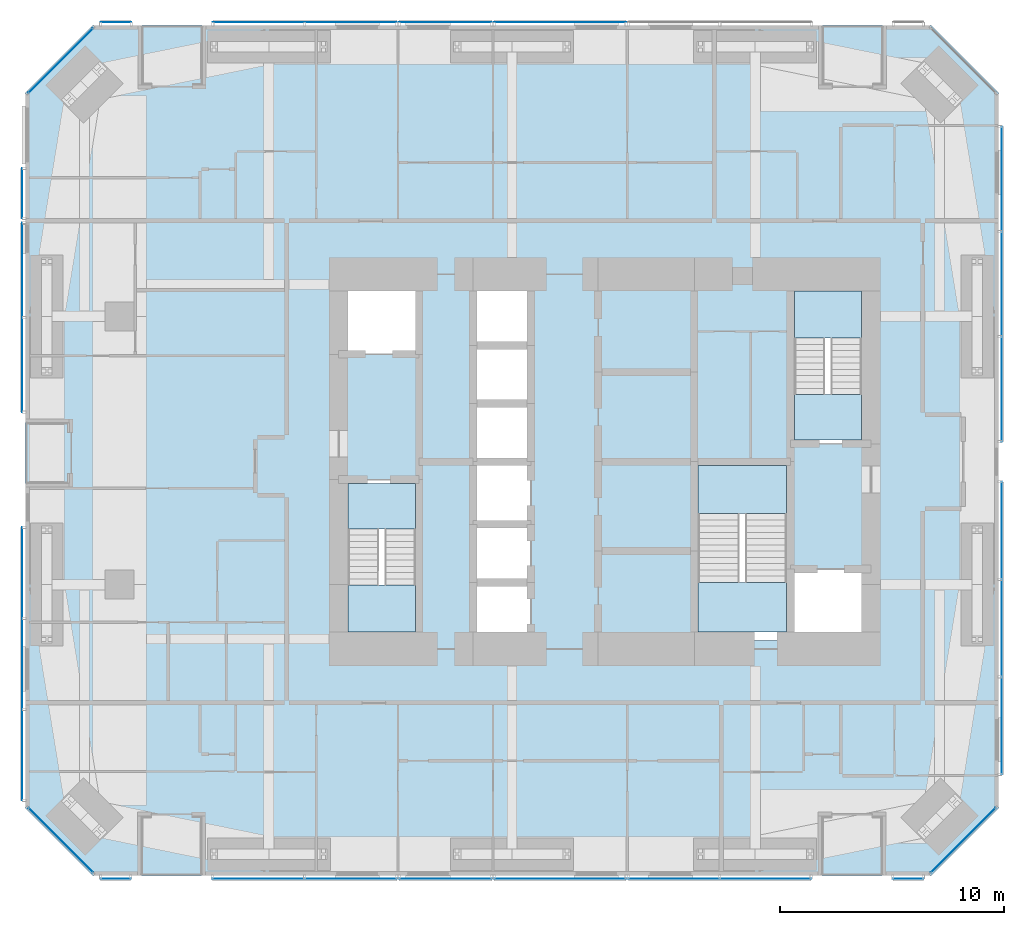
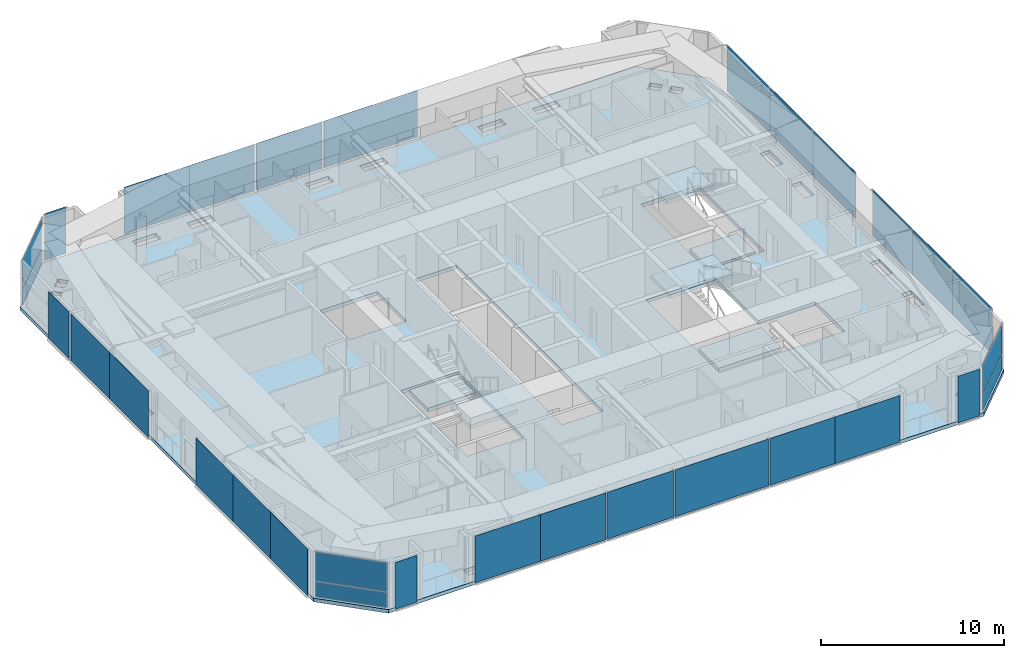
# One storey, part 15 of 23: 31 plates, 7 slabs, 21 elements without a shape of their own.
"""IFC4 building model written with IfcOpenShell, lengths in metres."""

from ifc_helpers import new_model, si_unit, direction, frame, origin, origin_2d, place, context, subcontext, project, spatial, polyline, rectangle, outline, extrude, material, layer, layer_set, type_object, element, aggregate, save


model = new_model("IFC4")

# Units and contexts
model_context = context("Model", 3, precision=1e-05, world=origin(), true_north=direction((0.0, 1.0)))
body_context = subcontext(model_context, "Body", "Model", "MODEL_VIEW")
ifc_project = project(units=[si_unit("LENGTHUNIT", "METRE"), si_unit("AREAUNIT", "SQUARE_METRE"), si_unit("VOLUMEUNIT", "CUBIC_METRE"), si_unit("PLANEANGLEUNIT", "RADIAN"), si_unit("MASSUNIT", "GRAM", prefix="KILO")], contexts=[model_context])

# Site, building, storey
site_placement = place(None, origin())
site = spatial("IfcSite", under=ifc_project, at=site_placement, CompositionType="ELEMENT")
building_placement = place(site_placement, origin())
building = spatial("IfcBuilding", under=site, at=building_placement, Name="Jalousie Tower", CompositionType="ELEMENT")
storey_placement = place(building_placement, frame((0.0, 0.0, 121.60009765625)))
storey = spatial("IfcBuildingStorey", under=building, at=storey_placement, Name="L33", CompositionType="ELEMENT", Elevation=121.60009765625)

# Curtain wall, plates
ifc_material_1 = material(Name="Aluminium curtain wall", Category="aluminium")
curtain_wall_type_1 = type_object("IfcCurtainWallType", Name="CORNER WINDOW WALL", PredefinedType="USERDEFINED", material=ifc_material_1)
curtain_wall_1_placement = place(storey_placement, origin())
curtain_wall_1 = element("IfcCurtainWall", 1, at=curtain_wall_1_placement, inside=storey, type_object=curtain_wall_type_1, Name="Corner Window Wall L33 2", ObjectType="CORNER WINDOW WALL", PredefinedType="USERDEFINED")
ifc_material_2 = material(Name="Laminated impact-rated spandrel glass", Category="glass")
ifc_layer_1 = layer(ifc_material_2, 0.028076171875)
ifc_layer_set_1 = layer_set([ifc_layer_1], Name="Laminated impact-rated spandrel glass")
plate_type_1 = type_object("IfcPlateType", Name="CORNER WINDOW WALL PANEL", PredefinedType="CURTAIN_PANEL", material=ifc_layer_set_1)
plate_1_placement = place(storey_placement, frame((47.9306640625, 1.5693359375, 0.06005859375), z_axis=(0.0, 0.0, 1.0), x_axis=(0.707106781187, 0.707106781187, 0.0)))
plate_1 = element("IfcPlate", 2, at=plate_1_placement, type_object=plate_type_1, Name="CW-C panel 1.1", PredefinedType="CURTAIN_PANEL", context=body_context, shape_type="SweptSolid", body=[
    extrude(rectangle(XDim=4.071533203125, YDim=0.028076171875, at=origin_2d()), origin(), (0.0, 0.0, 1.0), 1.010009765625),
])
plate_2_placement = place(storey_placement, frame((47.9306640625, 1.5693359375, 1.1298828125), z_axis=(0.0, 0.0, 1.0), x_axis=(0.707106781187, 0.707106781187, 0.0)))
plate_2 = element("IfcPlate", 3, at=plate_2_placement, type_object=plate_type_1, Name="CW-C panel 1.2", PredefinedType="CURTAIN_PANEL", context=body_context, shape_type="SweptSolid", body=[
    extrude(rectangle(XDim=4.071533203125, YDim=0.028076171875, at=origin_2d()), origin(), (0.0, 0.0, 1.0), 1.919921875),
])
aggregate(curtain_wall_1, [plate_1, plate_2])

curtain_wall_2_placement = place(storey_placement, origin())
curtain_wall_2 = element("IfcCurtainWall", 4, at=curtain_wall_2_placement, inside=storey, type_object=curtain_wall_type_1, Name="Corner Window Wall L33 6", ObjectType="CORNER WINDOW WALL", PredefinedType="USERDEFINED")
plate_3_placement = place(storey_placement, frame((7.5693359375, 36.4306640625, 0.06005859375), z_axis=(0.0, 0.0, 1.0), x_axis=(-0.707106781187, -0.707106781187, 0.0)))
plate_3 = element("IfcPlate", 5, at=plate_3_placement, type_object=plate_type_1, Name="CW-C panel 1.1", PredefinedType="CURTAIN_PANEL", context=body_context, shape_type="SweptSolid", body=[
    extrude(rectangle(XDim=4.071533203125, YDim=0.028076171875, at=origin_2d()), origin(), (0.0, 0.0, 1.0), 1.010009765625),
])
plate_4_placement = place(storey_placement, frame((7.5693359375, 36.4306640625, 1.1298828125), z_axis=(0.0, 0.0, 1.0), x_axis=(-0.707106781187, -0.707106781187, 0.0)))
plate_4 = element("IfcPlate", 6, at=plate_4_placement, type_object=plate_type_1, Name="CW-C panel 1.2", PredefinedType="CURTAIN_PANEL", context=body_context, shape_type="SweptSolid", body=[
    extrude(rectangle(XDim=4.071533203125, YDim=0.028076171875, at=origin_2d()), origin(), (0.0, 0.0, 1.0), 1.919921875),
])
aggregate(curtain_wall_2, [plate_3, plate_4])

curtain_wall_3_placement = place(storey_placement, origin())
curtain_wall_3 = element("IfcCurtainWall", 7, at=curtain_wall_3_placement, inside=storey, type_object=curtain_wall_type_1, Name="Corner Window Wall L33 8", ObjectType="CORNER WINDOW WALL", PredefinedType="USERDEFINED")
plate_5_placement = place(storey_placement, frame((7.5693359375, 1.5693359375, 0.06005859375), z_axis=(0.0, 0.0, 1.0), x_axis=(0.707106781187, -0.707106781187, 0.0)))
plate_5 = element("IfcPlate", 8, at=plate_5_placement, type_object=plate_type_1, Name="CW-C panel 1.1", PredefinedType="CURTAIN_PANEL", context=body_context, shape_type="SweptSolid", body=[
    extrude(rectangle(XDim=4.071533203125, YDim=0.028076171875, at=origin_2d()), origin(), (0.0, 0.0, 1.0), 1.010009765625),
])
plate_6_placement = place(storey_placement, frame((7.5693359375, 1.5693359375, 1.1298828125), z_axis=(0.0, 0.0, 1.0), x_axis=(0.707106781187, -0.707106781187, 0.0)))
plate_6 = element("IfcPlate", 9, at=plate_6_placement, type_object=plate_type_1, Name="CW-C panel 1.2", PredefinedType="CURTAIN_PANEL", context=body_context, shape_type="SweptSolid", body=[
    extrude(rectangle(XDim=4.071533203125, YDim=0.028076171875, at=origin_2d()), origin(), (0.0, 0.0, 1.0), 1.919921875),
])
aggregate(curtain_wall_3, [plate_5, plate_6])

# Slab
ifc_material_3 = material(Name="Concrete f'c 40 MPa", Category="concrete")
ifc_layer_2 = layer(ifc_material_3, 0.239990234375)
ifc_layer_set_2 = layer_set([ifc_layer_2], Name="Concrete f'c 40 MPa")
slab_type_1 = type_object("IfcSlabType", Name="FLOOR SLAB 240", PredefinedType="FLOOR", material=ifc_layer_set_2)
slab_1_placement = place(storey_placement, frame((0.0, 0.0, -0.239990234375)))
element("IfcSlab", 10, at=slab_1_placement, inside=storey, type_object=slab_type_1, Name="L33 floor slab", PredefinedType="FLOOR", context=body_context, shape_type="SweptSolid", body=[
    extrude(outline(polyline([(9.0, 0.0), (46.5, 0.0), (49.5, 3.0), (49.5, 35.0), (46.5, 38.0), (9.0, 38.0), (6.0, 35.0), (6.0, 3.0), (9.0, 0.0)]), holes=[polyline([(14.425048828125, 1.236083984375), (14.484619140625, 1.236083984375), (15.888916015625, 1.236083984375), (15.888916015625, 0.663818359375), (14.484619140625, 0.663818359375), (14.425048828125, 0.663818359375), (14.425048828125, 1.236083984375)]), polyline([(26.763916015625, 1.236083984375), (26.763916015625, 0.663818359375), (25.359619140625, 0.663818359375), (25.300048828125, 0.663818359375), (25.300048828125, 1.236083984375), (25.359619140625, 1.236083984375), (26.763916015625, 1.236083984375)]), polyline([(17.861083984375, 1.236083984375), (19.265380859375, 1.236083984375), (19.324951171875, 1.236083984375), (19.324951171875, 0.663818359375), (19.265380859375, 0.663818359375), (17.861083984375, 0.663818359375), (17.861083984375, 1.236083984375)]), polyline([(9.3955078125, 2.27197265625), (9.505615234375, 2.162109375), (9.505615234375, 2.162109375), (9.302978515625, 1.959716796875), (9.1005859375, 1.75732421875), (8.604736328125, 2.25341796875), (9.009521484375, 2.658203125), (9.39453125, 2.27294921875), (9.3955078125, 2.27197265625)]), polyline([(8.162109375, 3.505615234375), (8.162109375, 3.505615234375), (8.162109375, 3.505615234375), (8.2119140625, 3.455810546875), (8.27294921875, 3.39453125), (8.27294921875, 3.39453125), (8.658203125, 3.009521484375), (8.25341796875, 2.604736328125), (7.75732421875, 3.1005859375), (7.75732421875, 3.1005859375), (7.75732421875, 3.1005859375), (7.919189453125, 3.2626953125), (8.162109375, 3.505615234375)]), polyline([(7.236083984375, 10.550048828125), (6.663818359375, 10.550048828125), (6.663818359375, 10.609619140625), (6.663818359375, 12.013916015625), (7.236083984375, 12.013916015625), (7.236083984375, 10.609619140625), (7.236083984375, 10.550048828125)]), polyline([(26.0, 10.5), (26.0, 26.5), (28.60009765625, 26.5), (28.60009765625, 10.5), (26.0, 10.5)]), polyline([(20.0, 10.5), (23.60009765625, 10.5), (23.60009765625, 17.699951171875), (20.0, 17.699951171875), (20.0, 10.5)]), polyline([(7.236083984375, 15.390380859375), (7.236083984375, 13.986083984375), (6.663818359375, 13.986083984375), (6.663818359375, 15.390380859375), (6.663818359375, 15.449951171875), (7.236083984375, 15.449951171875), (7.236083984375, 15.390380859375)]), polyline([(6.663818359375, 24.013916015625), (7.236083984375, 24.013916015625), (7.236083984375, 22.609619140625), (7.236083984375, 22.550048828125), (6.663818359375, 22.550048828125), (6.663818359375, 22.609619140625), (6.663818359375, 24.013916015625)]), polyline([(20.0, 23.300048828125), (23.60009765625, 23.300048828125), (23.60009765625, 26.5), (20.0, 26.5), (20.0, 23.300048828125)]), polyline([(7.236083984375, 25.986083984375), (6.663818359375, 25.986083984375), (6.663818359375, 27.390380859375), (6.663818359375, 27.449951171875), (7.236083984375, 27.449951171875), (7.236083984375, 27.390380859375), (7.236083984375, 25.986083984375)]), polyline([(7.75732421875, 34.8994140625), (7.75732421875, 34.8994140625), (7.75732421875, 34.8994140625), (7.868408203125, 35.01025390625), (7.868408203125, 35.01025390625), (8.25341796875, 35.395263671875), (8.658203125, 34.990478515625), (8.27294921875, 34.60546875), (8.27294921875, 34.60546875), (8.162109375, 34.494384765625), (7.948974609375, 34.70751953125), (7.75732421875, 34.8994140625)]), polyline([(8.604736328125, 35.74658203125), (9.1005859375, 36.24267578125), (9.505615234375, 35.837890625), (9.39453125, 35.72705078125), (9.009521484375, 35.341796875), (8.604736328125, 35.74658203125)]), polyline([(26.763916015625, 36.763916015625), (25.359619140625, 36.763916015625), (25.300048828125, 36.763916015625), (25.300048828125, 37.336181640625), (25.359619140625, 37.336181640625), (26.763916015625, 37.336181640625), (26.763916015625, 36.763916015625)]), polyline([(19.324951171875, 37.336181640625), (19.324951171875, 36.763916015625), (19.265380859375, 36.763916015625), (17.861083984375, 36.763916015625), (17.861083984375, 37.336181640625), (19.265380859375, 37.336181640625), (19.324951171875, 37.336181640625)]), polyline([(14.425048828125, 36.763916015625), (14.425048828125, 37.336181640625), (14.484619140625, 37.336181640625), (15.888916015625, 37.336181640625), (15.888916015625, 36.763916015625), (14.484619140625, 36.763916015625), (14.425048828125, 36.763916015625)]), polyline([(28.736083984375, 0.663818359375), (28.736083984375, 1.236083984375), (30.140380859375, 1.236083984375), (30.199951171875, 1.236083984375), (30.199951171875, 0.663818359375), (30.140380859375, 0.663818359375), (28.736083984375, 0.663818359375)]), polyline([(36.234619140625, 0.663818359375), (36.175048828125, 0.663818359375), (36.175048828125, 1.236083984375), (36.234619140625, 1.236083984375), (37.638916015625, 1.236083984375), (37.638916015625, 0.663818359375), (36.234619140625, 0.663818359375)]), polyline([(41.015380859375, 1.236083984375), (41.074951171875, 1.236083984375), (41.074951171875, 0.663818359375), (41.015380859375, 0.663818359375), (39.611083984375, 0.663818359375), (39.611083984375, 1.236083984375), (41.015380859375, 1.236083984375)]), polyline([(46.51025390625, 1.868408203125), (46.51025390625, 1.868408203125), (46.3994140625, 1.75732421875), (46.3994140625, 1.75732421875), (46.3994140625, 1.75732421875), (46.199951171875, 1.95654296875), (45.994384765625, 2.162109375), (46.10546875, 2.27294921875), (46.10546875, 2.27294921875), (46.490478515625, 2.658203125), (46.895263671875, 2.25341796875), (46.51025390625, 1.868408203125)]), polyline([(47.22705078125, 3.39453125), (47.22705078125, 3.39453125), (47.337890625, 3.505615234375), (47.337890625, 3.505615234375), (47.337890625, 3.505615234375), (47.540283203125, 3.302978515625), (47.74267578125, 3.1005859375), (47.631591796875, 2.98974609375), (47.631591796875, 2.98974609375), (47.24658203125, 2.604736328125), (46.841796875, 3.009521484375), (47.22705078125, 3.39453125)]), polyline([(48.836181640625, 10.550048828125), (48.263916015625, 10.550048828125), (48.263916015625, 10.609619140625), (48.263916015625, 12.013916015625), (48.836181640625, 12.013916015625), (48.836181640625, 10.609619140625), (48.836181640625, 10.550048828125)]), polyline([(35.89990234375, 18.5), (40.199951171875, 18.5), (40.199951171875, 13.699951171875), (43.800048828125, 13.699951171875), (43.800048828125, 10.5), (35.89990234375, 10.5), (35.89990234375, 18.5)]), polyline([(48.836181640625, 13.986083984375), (48.263916015625, 13.986083984375), (48.263916015625, 15.390380859375), (48.263916015625, 15.449951171875), (48.836181640625, 15.449951171875), (48.836181640625, 15.390380859375), (48.836181640625, 13.986083984375)]), polyline([(40.199951171875, 19.300048828125), (43.800048828125, 19.300048828125), (43.800048828125, 26.5), (40.199951171875, 26.5), (40.199951171875, 19.300048828125)]), polyline([(48.836181640625, 22.550048828125), (48.263916015625, 22.550048828125), (48.263916015625, 22.609619140625), (48.263916015625, 24.013916015625), (48.836181640625, 24.013916015625), (48.836181640625, 22.609619140625), (48.836181640625, 22.550048828125)]), polyline([(48.836181640625, 27.390380859375), (48.836181640625, 25.986083984375), (48.263916015625, 25.986083984375), (48.263916015625, 27.390380859375), (48.263916015625, 27.449951171875), (48.836181640625, 27.449951171875), (48.836181640625, 27.390380859375)]), polyline([(47.631591796875, 35.01025390625), (47.74267578125, 34.8994140625), (47.74267578125, 34.8994140625), (47.540283203125, 34.697021484375), (47.337890625, 34.494384765625), (47.22705078125, 34.60546875), (47.22705078125, 34.60546875), (46.841796875, 34.990478515625), (47.24658203125, 35.395263671875), (47.631591796875, 35.01025390625)]), polyline([(46.3994140625, 36.24267578125), (46.3994140625, 36.24267578125), (46.51025390625, 36.131591796875), (46.895263671875, 35.74658203125), (46.490478515625, 35.341796875), (46.10546875, 35.72705078125), (46.10546875, 35.72705078125), (45.994384765625, 35.837890625), (46.197021484375, 36.040283203125), (46.3994140625, 36.24267578125)]), polyline([(41.015380859375, 37.336181640625), (41.074951171875, 37.336181640625), (41.074951171875, 36.763916015625), (41.015380859375, 36.763916015625), (39.611083984375, 36.763916015625), (39.611083984375, 37.336181640625), (41.015380859375, 37.336181640625)]), polyline([(37.638916015625, 37.336181640625), (37.638916015625, 36.763916015625), (36.234619140625, 36.763916015625), (36.175048828125, 36.763916015625), (36.175048828125, 37.336181640625), (36.234619140625, 37.336181640625), (37.638916015625, 37.336181640625)]), polyline([(28.736083984375, 37.336181640625), (30.140380859375, 37.336181640625), (30.199951171875, 37.336181640625), (30.199951171875, 36.763916015625), (30.140380859375, 36.763916015625), (28.736083984375, 36.763916015625), (28.736083984375, 37.336181640625)])]), origin(), (0.0, 0.0, 1.0), 0.239990234375),
])

# Curtain wall, plate
ifc_material_4 = material(Name="Perforated aluminium sheet", Category="aluminium")
curtain_wall_type_2 = type_object("IfcCurtainWallType", Name="SOLAR SCREEN SS-1", PredefinedType="USERDEFINED", material=ifc_material_4)
curtain_wall_4_placement = place(storey_placement, origin())
curtain_wall_4 = element("IfcCurtainWall", 11, at=curtain_wall_4_placement, inside=storey, type_object=curtain_wall_type_2, Name="Solar screen L33", ObjectType="SOLAR SCREEN SS-1", PredefinedType="USERDEFINED")
ifc_material_5 = material(Name="Perforated aluminium sheet", Category="aluminium")
ifc_layer_3 = layer(ifc_material_5, 0.006103515625)
ifc_layer_set_3 = layer_set([ifc_layer_3], Name="Perforated aluminium sheet")
plate_type_2 = type_object("IfcPlateType", Name="SOLAR SCREEN SS-1 PANEL", PredefinedType="CURTAIN_PANEL", material=ifc_layer_set_3)
plate_7_placement = place(storey_placement, frame((10.0263671875, -0.150390625, 0.0), z_axis=(0.0, 0.0, 1.0), x_axis=(1.0, 0.0, 0.0)))
plate_7 = element("IfcPlate", 12, at=plate_7_placement, type_object=plate_type_2, Name="SS1 perforated panel 1", PredefinedType="CURTAIN_PANEL", context=body_context, shape_type="SweptSolid", body=[
    extrude(rectangle(XDim=1.35009765625, YDim=0.006103515625, at=origin_2d()), origin(), (0.0, 0.0, 1.0), 3.110107421875),
])
aggregate(curtain_wall_4, [plate_7])

# Curtain wall, plates
curtain_wall_5_placement = place(storey_placement, origin())
curtain_wall_5 = element("IfcCurtainWall", 13, at=curtain_wall_5_placement, inside=storey, type_object=curtain_wall_type_2, Name="Solar screen L33", ObjectType="SOLAR SCREEN SS-1", PredefinedType="USERDEFINED")
plate_8_placement = place(storey_placement, frame((16.41357421875, -0.150390625, 0.0), z_axis=(0.0, 0.0, 1.0), x_axis=(1.0, 0.0, 0.0)))
plate_8 = element("IfcPlate", 14, at=plate_8_placement, type_object=plate_type_2, Name="SS1 perforated panel 1", PredefinedType="CURTAIN_PANEL", context=body_context, shape_type="SweptSolid", body=[
    extrude(rectangle(XDim=4.12451171875, YDim=0.006103515625, at=origin_2d()), origin(), (0.0, 0.0, 1.0), 3.110107421875),
])
plate_9_placement = place(storey_placement, frame((20.537841796875, -0.150390625, 0.0), z_axis=(0.0, 0.0, 1.0), x_axis=(1.0, 0.0, 0.0)))
plate_9 = element("IfcPlate", 15, at=plate_9_placement, type_object=plate_type_2, Name="SS1 perforated panel 2", PredefinedType="CURTAIN_PANEL", context=body_context, shape_type="SweptSolid", body=[
    extrude(rectangle(XDim=4.12451171875, YDim=0.006103515625, at=origin_2d()), origin(), (0.0, 0.0, 1.0), 3.110107421875),
])
aggregate(curtain_wall_5, [plate_8, plate_9])

# Curtain wall, plate
curtain_wall_6_placement = place(storey_placement, origin())
curtain_wall_6 = element("IfcCurtainWall", 16, at=curtain_wall_6_placement, inside=storey, type_object=curtain_wall_type_2, Name="Solar screen L33", ObjectType="SOLAR SCREEN SS-1", PredefinedType="USERDEFINED")
plate_10_placement = place(storey_placement, frame((24.77490234375, -0.150390625, 0.0), z_axis=(0.0, 0.0, 1.0), x_axis=(1.0, 0.0, 0.0)))
plate_10 = element("IfcPlate", 17, at=plate_10_placement, type_object=plate_type_2, Name="SS1 perforated panel 1", PredefinedType="CURTAIN_PANEL", context=body_context, shape_type="SweptSolid", body=[
    extrude(rectangle(XDim=4.14990234375, YDim=0.006103515625, at=origin_2d()), origin(), (0.0, 0.0, 1.0), 3.110107421875),
])
aggregate(curtain_wall_6, [plate_10])

curtain_wall_7_placement = place(storey_placement, origin())
curtain_wall_7 = element("IfcCurtainWall", 18, at=curtain_wall_7_placement, inside=storey, type_object=curtain_wall_type_2, Name="Solar screen L33", ObjectType="SOLAR SCREEN SS-1", PredefinedType="USERDEFINED")
plate_11_placement = place(storey_placement, frame((29.89990234375, -0.150390625, 0.0), z_axis=(0.0, 0.0, 1.0), x_axis=(1.0, 0.0, 0.0)))
plate_11 = element("IfcPlate", 19, at=plate_11_placement, type_object=plate_type_2, Name="SS1 perforated panel 1", PredefinedType="CURTAIN_PANEL", context=body_context, shape_type="SweptSolid", body=[
    extrude(rectangle(XDim=5.89990234375, YDim=0.006103515625, at=origin_2d()), origin(), (0.0, 0.0, 1.0), 3.110107421875),
])
aggregate(curtain_wall_7, [plate_11])

# Curtain wall, plates
curtain_wall_8_placement = place(storey_placement, origin())
curtain_wall_8 = element("IfcCurtainWall", 20, at=curtain_wall_8_placement, inside=storey, type_object=curtain_wall_type_2, Name="Solar screen L33", ObjectType="SOLAR SCREEN SS-1", PredefinedType="USERDEFINED")
plate_12_placement = place(storey_placement, frame((34.993896484375, -0.150390625, 0.0), z_axis=(0.0, 0.0, 1.0), x_axis=(1.0, 0.0, 0.0)))
plate_12 = element("IfcPlate", 21, at=plate_12_placement, type_object=plate_type_2, Name="SS1 perforated panel 1", PredefinedType="CURTAIN_PANEL", context=body_context, shape_type="SweptSolid", body=[
    extrude(rectangle(XDim=4.08740234375, YDim=0.006103515625, at=origin_2d()), origin(), (0.0, 0.0, 1.0), 3.110107421875),
])
plate_13_placement = place(storey_placement, frame((39.081298828125, -0.150390625, 0.0), z_axis=(0.0, 0.0, 1.0), x_axis=(1.0, 0.0, 0.0)))
plate_13 = element("IfcPlate", 22, at=plate_13_placement, type_object=plate_type_2, Name="SS1 perforated panel 2", PredefinedType="CURTAIN_PANEL", context=body_context, shape_type="SweptSolid", body=[
    extrude(rectangle(XDim=4.08740234375, YDim=0.006103515625, at=origin_2d()), origin(), (0.0, 0.0, 1.0), 3.110107421875),
])
aggregate(curtain_wall_8, [plate_12, plate_13])

# Curtain wall, plate
curtain_wall_9_placement = place(storey_placement, origin())
curtain_wall_9 = element("IfcCurtainWall", 23, at=curtain_wall_9_placement, inside=storey, type_object=curtain_wall_type_2, Name="Solar screen L33", ObjectType="SOLAR SCREEN SS-1", PredefinedType="USERDEFINED")
plate_14_placement = place(storey_placement, frame((45.4619140625, -0.150390625, 0.0), z_axis=(0.0, 0.0, 1.0), x_axis=(1.0, 0.0, 0.0)))
plate_14 = element("IfcPlate", 24, at=plate_14_placement, type_object=plate_type_2, Name="SS1 perforated panel 1", PredefinedType="CURTAIN_PANEL", context=body_context, shape_type="SweptSolid", body=[
    extrude(rectangle(XDim=1.373779296875, YDim=0.006103515625, at=origin_2d()), origin(), (0.0, 0.0, 1.0), 3.110107421875),
])
aggregate(curtain_wall_9, [plate_14])

# Curtain wall, plates
curtain_wall_10_placement = place(storey_placement, origin())
curtain_wall_10 = element("IfcCurtainWall", 25, at=curtain_wall_10_placement, inside=storey, type_object=curtain_wall_type_2, Name="Solar screen L33", ObjectType="SOLAR SCREEN SS-1", PredefinedType="USERDEFINED")
plate_15_placement = place(storey_placement, frame((49.650390625, 6.69482421875, 0.0), z_axis=(0.0, 0.0, 1.0), x_axis=(0.0, 1.0, 0.0)))
plate_15 = element("IfcPlate", 26, at=plate_15_placement, type_object=plate_type_2, Name="SS1 perforated panel 1", PredefinedType="CURTAIN_PANEL", context=body_context, shape_type="SweptSolid", body=[
    extrude(rectangle(XDim=4.362060546875, YDim=0.006103515625, at=origin_2d()), origin(), (0.0, 0.0, 1.0), 3.110107421875),
])
plate_16_placement = place(storey_placement, frame((49.650390625, 11.056884765625, 0.0), z_axis=(0.0, 0.0, 1.0), x_axis=(0.0, 1.0, 0.0)))
plate_16 = element("IfcPlate", 27, at=plate_16_placement, type_object=plate_type_2, Name="SS1 perforated panel 2", PredefinedType="CURTAIN_PANEL", context=body_context, shape_type="SweptSolid", body=[
    extrude(rectangle(XDim=4.362060546875, YDim=0.006103515625, at=origin_2d()), origin(), (0.0, 0.0, 1.0), 3.110107421875),
])
plate_17_placement = place(storey_placement, frame((49.650390625, 15.4189453125, 0.0), z_axis=(0.0, 0.0, 1.0), x_axis=(0.0, 1.0, 0.0)))
plate_17 = element("IfcPlate", 28, at=plate_17_placement, type_object=plate_type_2, Name="SS1 perforated panel 3", PredefinedType="CURTAIN_PANEL", context=body_context, shape_type="SweptSolid", body=[
    extrude(rectangle(XDim=4.362060546875, YDim=0.006103515625, at=origin_2d()), origin(), (0.0, 0.0, 1.0), 3.110107421875),
])
aggregate(curtain_wall_10, [plate_15, plate_16, plate_17])

curtain_wall_11_placement = place(storey_placement, origin())
curtain_wall_11 = element("IfcCurtainWall", 29, at=curtain_wall_11_placement, inside=storey, type_object=curtain_wall_type_2, Name="Solar screen L33", ObjectType="SOLAR SCREEN SS-1", PredefinedType="USERDEFINED")
plate_18_placement = place(storey_placement, frame((49.650390625, 21.747802734375, 0.0), z_axis=(0.0, 0.0, 1.0), x_axis=(0.0, 1.0, 0.0)))
plate_18 = element("IfcPlate", 30, at=plate_18_placement, type_object=plate_type_2, Name="SS1 perforated panel 1", PredefinedType="CURTAIN_PANEL", context=body_context, shape_type="SweptSolid", body=[
    extrude(rectangle(XDim=4.6953125, YDim=0.006103515625, at=origin_2d()), origin(), (0.0, 0.0, 1.0), 3.110107421875),
])
plate_19_placement = place(storey_placement, frame((49.650390625, 26.443115234375, 0.0), z_axis=(0.0, 0.0, 1.0), x_axis=(0.0, 1.0, 0.0)))
plate_19 = element("IfcPlate", 31, at=plate_19_placement, type_object=plate_type_2, Name="SS1 perforated panel 2", PredefinedType="CURTAIN_PANEL", context=body_context, shape_type="SweptSolid", body=[
    extrude(rectangle(XDim=4.6953125, YDim=0.006103515625, at=origin_2d()), origin(), (0.0, 0.0, 1.0), 3.110107421875),
])
plate_20_placement = place(storey_placement, frame((49.650390625, 31.138427734375, 0.0), z_axis=(0.0, 0.0, 1.0), x_axis=(0.0, 1.0, 0.0)))
plate_20 = element("IfcPlate", 32, at=plate_20_placement, type_object=plate_type_2, Name="SS1 perforated panel 3", PredefinedType="CURTAIN_PANEL", context=body_context, shape_type="SweptSolid", body=[
    extrude(rectangle(XDim=4.6953125, YDim=0.006103515625, at=origin_2d()), origin(), (0.0, 0.0, 1.0), 3.110107421875),
])
aggregate(curtain_wall_11, [plate_18, plate_19, plate_20])

# Curtain wall, plate
curtain_wall_12_placement = place(storey_placement, origin())
curtain_wall_12 = element("IfcCurtainWall", 33, at=curtain_wall_12_placement, inside=storey, type_object=curtain_wall_type_2, Name="Solar screen L33", ObjectType="SOLAR SCREEN SS-1", PredefinedType="USERDEFINED")
plate_21_placement = place(storey_placement, frame((29.89990234375, 38.150390625, 0.0), z_axis=(0.0, 0.0, 1.0), x_axis=(-1.0, 0.0, 0.0)))
plate_21 = element("IfcPlate", 34, at=plate_21_placement, type_object=plate_type_2, Name="SS1 perforated panel 1", PredefinedType="CURTAIN_PANEL", context=body_context, shape_type="SweptSolid", body=[
    extrude(rectangle(XDim=5.89990234375, YDim=0.006103515625, at=origin_2d()), origin(), (0.0, 0.0, 1.0), 3.110107421875),
])
aggregate(curtain_wall_12, [plate_21])

curtain_wall_13_placement = place(storey_placement, origin())
curtain_wall_13 = element("IfcCurtainWall", 35, at=curtain_wall_13_placement, inside=storey, type_object=curtain_wall_type_2, Name="Solar screen L33", ObjectType="SOLAR SCREEN SS-1", PredefinedType="USERDEFINED")
plate_22_placement = place(storey_placement, frame((24.77490234375, 38.150390625, 0.0), z_axis=(0.0, 0.0, 1.0), x_axis=(-1.0, 0.0, 0.0)))
plate_22 = element("IfcPlate", 36, at=plate_22_placement, type_object=plate_type_2, Name="SS1 perforated panel 1", PredefinedType="CURTAIN_PANEL", context=body_context, shape_type="SweptSolid", body=[
    extrude(rectangle(XDim=4.14990234375, YDim=0.006103515625, at=origin_2d()), origin(), (0.0, 0.0, 1.0), 3.110107421875),
])
aggregate(curtain_wall_13, [plate_22])

# Curtain wall, plates
curtain_wall_14_placement = place(storey_placement, origin())
curtain_wall_14 = element("IfcCurtainWall", 37, at=curtain_wall_14_placement, inside=storey, type_object=curtain_wall_type_2, Name="Solar screen L33", ObjectType="SOLAR SCREEN SS-1", PredefinedType="USERDEFINED")
plate_23_placement = place(storey_placement, frame((20.543701171875, 38.150390625, 0.0), z_axis=(0.0, 0.0, 1.0), x_axis=(-1.0, 0.0, 0.0)))
plate_23 = element("IfcPlate", 38, at=plate_23_placement, type_object=plate_type_2, Name="SS1 perforated panel 1", PredefinedType="CURTAIN_PANEL", context=body_context, shape_type="SweptSolid", body=[
    extrude(rectangle(XDim=4.112548828125, YDim=0.006103515625, at=origin_2d()), origin(), (0.0, 0.0, 1.0), 3.110107421875),
])
plate_24_placement = place(storey_placement, frame((16.43115234375, 38.150390625, 0.0), z_axis=(0.0, 0.0, 1.0), x_axis=(-1.0, 0.0, 0.0)))
plate_24 = element("IfcPlate", 39, at=plate_24_placement, type_object=plate_type_2, Name="SS1 perforated panel 2", PredefinedType="CURTAIN_PANEL", context=body_context, shape_type="SweptSolid", body=[
    extrude(rectangle(XDim=4.112548828125, YDim=0.006103515625, at=origin_2d()), origin(), (0.0, 0.0, 1.0), 3.110107421875),
])
aggregate(curtain_wall_14, [plate_23, plate_24])

# Curtain wall, plate
curtain_wall_15_placement = place(storey_placement, origin())
curtain_wall_15 = element("IfcCurtainWall", 40, at=curtain_wall_15_placement, inside=storey, type_object=curtain_wall_type_2, Name="Solar screen L33", ObjectType="SOLAR SCREEN SS-1", PredefinedType="USERDEFINED")
plate_25_placement = place(storey_placement, frame((10.0380859375, 38.150390625, 0.0), z_axis=(0.0, 0.0, 1.0), x_axis=(-1.0, 0.0, 0.0)))
plate_25 = element("IfcPlate", 41, at=plate_25_placement, type_object=plate_type_2, Name="SS1 perforated panel 1", PredefinedType="CURTAIN_PANEL", context=body_context, shape_type="SweptSolid", body=[
    extrude(rectangle(XDim=1.373779296875, YDim=0.006103515625, at=origin_2d()), origin(), (0.0, 0.0, 1.0), 3.110107421875),
])
aggregate(curtain_wall_15, [plate_25])

curtain_wall_16_placement = place(storey_placement, origin())
curtain_wall_16 = element("IfcCurtainWall", 42, at=curtain_wall_16_placement, inside=storey, type_object=curtain_wall_type_2, Name="Solar screen L33", ObjectType="SOLAR SCREEN SS-1", PredefinedType="USERDEFINED")
plate_26_placement = place(storey_placement, frame((5.849609375, 30.49365234375, 0.0), z_axis=(0.0, 0.0, 1.0), x_axis=(0.0, -1.0, 0.0)))
plate_26 = element("IfcPlate", 43, at=plate_26_placement, type_object=plate_type_2, Name="SS1 perforated panel 1", PredefinedType="CURTAIN_PANEL", context=body_context, shape_type="SweptSolid", body=[
    extrude(rectangle(XDim=2.2373046875, YDim=0.006103515625, at=origin_2d()), origin(), (0.0, 0.0, 1.0), 3.110107421875),
])
aggregate(curtain_wall_16, [plate_26])

# Curtain wall, plates
curtain_wall_17_placement = place(storey_placement, origin())
curtain_wall_17 = element("IfcCurtainWall", 44, at=curtain_wall_17_placement, inside=storey, type_object=curtain_wall_type_2, Name="Solar screen L33", ObjectType="SOLAR SCREEN SS-1", PredefinedType="USERDEFINED")
plate_27_placement = place(storey_placement, frame((5.849609375, 27.060302734375, 0.0), z_axis=(0.0, 0.0, 1.0), x_axis=(0.0, -1.0, 0.0)))
plate_27 = element("IfcPlate", 45, at=plate_27_placement, type_object=plate_type_2, Name="SS1 perforated panel 1", PredefinedType="CURTAIN_PANEL", context=body_context, shape_type="SweptSolid", body=[
    extrude(rectangle(XDim=4.229248046875, YDim=0.006103515625, at=origin_2d()), origin(), (0.0, 0.0, 1.0), 3.110107421875),
])
plate_28_placement = place(storey_placement, frame((5.849609375, 22.831298828125, 0.0), z_axis=(0.0, 0.0, 1.0), x_axis=(0.0, -1.0, 0.0)))
plate_28 = element("IfcPlate", 46, at=plate_28_placement, type_object=plate_type_2, Name="SS1 perforated panel 2", PredefinedType="CURTAIN_PANEL", context=body_context, shape_type="SweptSolid", body=[
    extrude(rectangle(XDim=4.229248046875, YDim=0.006103515625, at=origin_2d()), origin(), (0.0, 0.0, 1.0), 3.110107421875),
])
aggregate(curtain_wall_17, [plate_27, plate_28])

curtain_wall_18_placement = place(storey_placement, origin())
curtain_wall_18 = element("IfcCurtainWall", 47, at=curtain_wall_18_placement, inside=storey, type_object=curtain_wall_type_2, Name="Solar screen L33", ObjectType="SOLAR SCREEN SS-1", PredefinedType="USERDEFINED")
plate_29_placement = place(storey_placement, frame((5.849609375, 13.523681640625, 0.0), z_axis=(0.0, 0.0, 1.0), x_axis=(0.0, -1.0, 0.0)))
plate_29 = element("IfcPlate", 48, at=plate_29_placement, type_object=plate_type_2, Name="SS1 perforated panel 1", PredefinedType="CURTAIN_PANEL", context=body_context, shape_type="SweptSolid", body=[
    extrude(rectangle(XDim=4.069091796875, YDim=0.006103515625, at=origin_2d()), origin(), (0.0, 0.0, 1.0), 3.110107421875),
])
plate_30_placement = place(storey_placement, frame((5.849609375, 9.454833984375, 0.0), z_axis=(0.0, 0.0, 1.0), x_axis=(0.0, -1.0, 0.0)))
plate_30 = element("IfcPlate", 49, at=plate_30_placement, type_object=plate_type_2, Name="SS1 perforated panel 2", PredefinedType="CURTAIN_PANEL", context=body_context, shape_type="SweptSolid", body=[
    extrude(rectangle(XDim=4.069091796875, YDim=0.006103515625, at=origin_2d()), origin(), (0.0, 0.0, 1.0), 3.110107421875),
])
plate_31_placement = place(storey_placement, frame((5.849609375, 5.3857421875, 0.0), z_axis=(0.0, 0.0, 1.0), x_axis=(0.0, -1.0, 0.0)))
plate_31 = element("IfcPlate", 50, at=plate_31_placement, type_object=plate_type_2, Name="SS1 perforated panel 3", PredefinedType="CURTAIN_PANEL", context=body_context, shape_type="SweptSolid", body=[
    extrude(rectangle(XDim=4.069091796875, YDim=0.006103515625, at=origin_2d()), origin(), (0.0, 0.0, 1.0), 3.110107421875),
])
aggregate(curtain_wall_18, [plate_29, plate_30, plate_31])

# Stair, slabs
ifc_material_6 = material(Name="Concrete f'c 40 MPa", Category="concrete")
stair_type = type_object("IfcStairType", Name="EXIT STAIR", PredefinedType="HALF_TURN_STAIR", material=ifc_material_6)
stair_1_placement = place(storey_placement, origin())
stair_1 = element("IfcStair", 51, at=stair_1_placement, inside=storey, type_object=stair_type, Name="Exit stair A L33", PredefinedType="HALF_TURN_STAIR")
ifc_material_7 = material(Name="Concrete f'c 40 MPa", Category="concrete")
ifc_layer_4 = layer(ifc_material_7, 0.25)
ifc_layer_set_4 = layer_set([ifc_layer_4], Name="Concrete f'c 40 MPa")
slab_type_2 = type_object("IfcSlabType", Name="STAIR LANDING 250", PredefinedType="LANDING", material=ifc_layer_set_4)
slab_2_placement = place(storey_placement, frame((0.0, 0.0, -0.25)))
slab_2 = element("IfcSlab", 52, at=slab_2_placement, type_object=slab_type_2, Name="ST-A landing 1", PredefinedType="LANDING", context=body_context, shape_type="SweptSolid", body=[
    extrude(outline(polyline([(20.425048828125, 15.49755859375), (23.425048828125, 15.49755859375), (23.425048828125, 17.52490234375), (20.425048828125, 17.52490234375), (20.425048828125, 15.49755859375)])), origin(), (0.0, 0.0, 1.0), 0.25),
])
slab_3_placement = place(storey_placement, frame((0.0, 0.0, 1.4248046875)))
slab_3 = element("IfcSlab", 53, at=slab_3_placement, type_object=slab_type_2, Name="ST-A landing 2", PredefinedType="LANDING", context=body_context, shape_type="SweptSolid", body=[
    extrude(outline(polyline([(20.425048828125, 10.875), (23.425048828125, 10.875), (23.425048828125, 12.9775390625), (20.425048828125, 12.9775390625), (20.425048828125, 10.875)])), origin(), (0.0, 0.0, 1.0), 0.25),
])
aggregate(stair_1, [slab_2, slab_3])

stair_2_placement = place(storey_placement, origin())
stair_2 = element("IfcStair", 54, at=stair_2_placement, inside=storey, type_object=stair_type, Name="Exit stair B L33", PredefinedType="HALF_TURN_STAIR")
slab_4_placement = place(storey_placement, frame((0.0, 0.0, -0.25)))
slab_4 = element("IfcSlab", 55, at=slab_4_placement, type_object=slab_type_2, Name="ST-B landing 1", PredefinedType="LANDING", context=body_context, shape_type="SweptSolid", body=[
    extrude(outline(polyline([(40.375, 19.47509765625), (43.375, 19.47509765625), (43.375, 21.50244140625), (40.375, 21.50244140625), (40.375, 19.47509765625)])), origin(), (0.0, 0.0, 1.0), 0.25),
])
slab_5_placement = place(storey_placement, frame((0.0, 0.0, 1.4248046875)))
slab_5 = element("IfcSlab", 56, at=slab_5_placement, type_object=slab_type_2, Name="ST-B landing 2", PredefinedType="LANDING", context=body_context, shape_type="SweptSolid", body=[
    extrude(outline(polyline([(40.375, 24.0224609375), (43.375, 24.0224609375), (43.375, 26.125), (40.375, 26.125), (40.375, 24.0224609375)])), origin(), (0.0, 0.0, 1.0), 0.25),
])
aggregate(stair_2, [slab_4, slab_5])

stair_3_placement = place(storey_placement, origin())
stair_3 = element("IfcStair", 57, at=stair_3_placement, inside=storey, type_object=stair_type, Name="Exit stair C L33", PredefinedType="HALF_TURN_STAIR")
slab_6_placement = place(storey_placement, frame((0.0, 0.0, -0.25)))
slab_6 = element("IfcSlab", 58, at=slab_6_placement, type_object=slab_type_2, Name="ST-C landing 1", PredefinedType="LANDING", context=body_context, shape_type="SweptSolid", body=[
    extrude(outline(polyline([(36.074951171875, 10.875), (40.02490234375, 10.875), (40.02490234375, 13.097412109375), (36.074951171875, 13.097412109375), (36.074951171875, 10.875)])), origin(), (0.0, 0.0, 1.0), 0.25),
])
slab_7_placement = place(storey_placement, frame((0.0, 0.0, 1.4248046875)))
slab_7 = element("IfcSlab", 59, at=slab_7_placement, type_object=slab_type_2, Name="ST-C landing 2", PredefinedType="LANDING", context=body_context, shape_type="SweptSolid", body=[
    extrude(outline(polyline([(36.074951171875, 16.177490234375), (40.02490234375, 16.177490234375), (40.02490234375, 18.324951171875), (36.074951171875, 18.324951171875), (36.074951171875, 16.177490234375)])), origin(), (0.0, 0.0, 1.0), 0.25),
])
aggregate(stair_3, [slab_6, slab_7])

save(model, "model.ifc")
